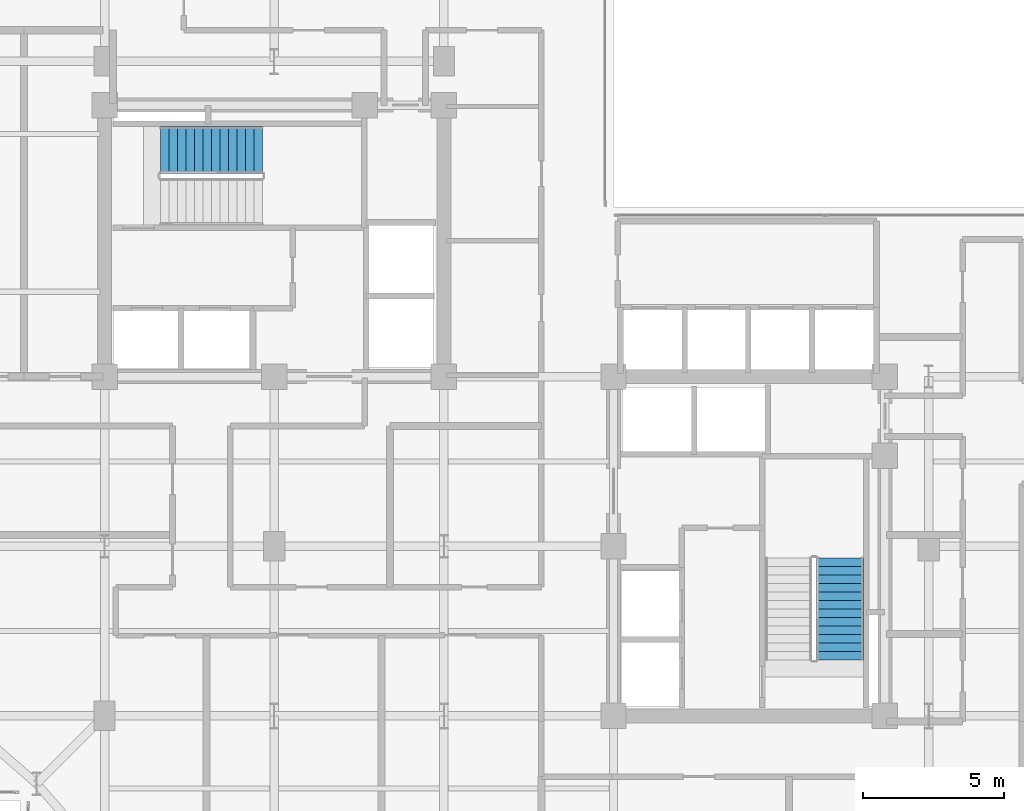
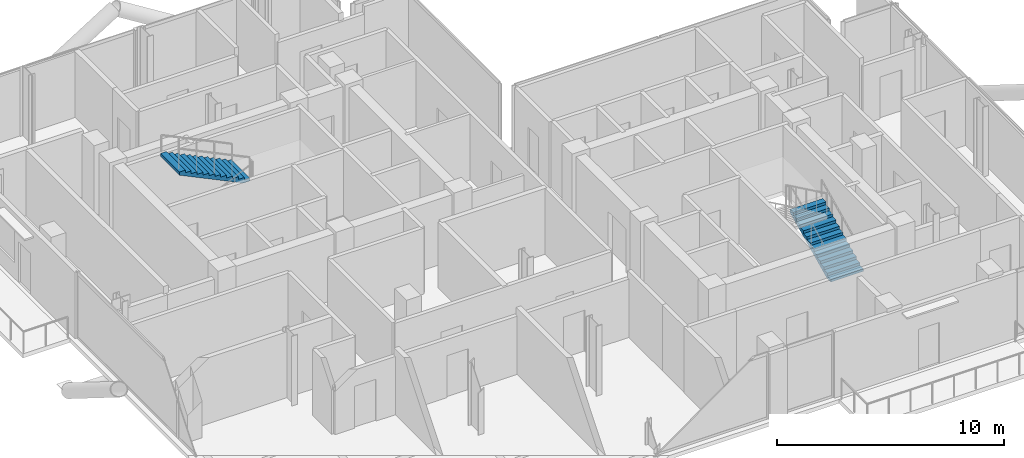
# One storey, part 23 of 26: 2 stair flights, 2 elements without a shape of their own.
"""IFC4 building model written with IfcOpenShell, lengths in metres."""

import ifcopenshell
import ifcopenshell.guid

model = None  # the IFC model being written
_history = None  # IfcOwnerHistory: only IFC2X3 demands one
_inside = {}  # id of a spatial element -> (the spatial element, [elements in it])
_under = {}  # id of a project, library or spatial element -> (it, [spatial elements below it])
_declared = {}  # id of a project -> (the project, [libraries it declares])
_typed = {}  # id of a type object -> (the type object, [elements of that type])
_made_of = {}  # id of a material, layer set ... -> (it, [elements and type objects made of it])


def new_model(schema):
    """Start an empty IFC model of exactly this schema.

    Asked for "IFC4X3", IfcOpenShell would pick the latest addendum, in which some entities
    have other attributes; the version numbers below select the first issue.
    IFC2X3 requires an IfcOwnerHistory on every rooted entity: one is made here for all.
    """
    global model, _history
    if schema == "IFC4X3":
        model = ifcopenshell.file(schema_version=(4, 3, 0, 0))
    else:
        model = ifcopenshell.file(schema=schema)
    _inside.clear()
    _under.clear()
    _declared.clear()
    _typed.clear()
    _made_of.clear()
    _history = None
    if model.schema == "IFC2X3":
        org = make("IfcOrganization", Name="unknown")
        user = make(
            "IfcPersonAndOrganization",
            ThePerson=make("IfcPerson", FamilyName="unknown"),
            TheOrganization=org,
        )
        app = make(
            "IfcApplication",
            ApplicationDeveloper=org,
            Version="unknown",
            ApplicationFullName="unknown",
            ApplicationIdentifier="unknown",
        )
        _history = make(
            "IfcOwnerHistory",
            OwningUser=user,
            OwningApplication=app,
            ChangeAction="ADDED",
            CreationDate=0,
        )
    return model


def make(cls, **values):
    """One entity of the class cls with the attributes given. An attribute that is None is left unset."""
    return model.create_entity(
        cls, **{name: value for name, value in values.items() if value is not None}
    )


def rooted(cls, **values):
    """An entity with a GlobalId (a new one), such as an element, a storey or a relation."""
    return make(cls, GlobalId=ifcopenshell.guid.new(), OwnerHistory=_history, **values)


def si_unit(unit_type, name, prefix=None):
    """IfcSIUnit, for example si_unit("LENGTHUNIT", "METRE", prefix="MILLI")."""
    return make("IfcSIUnit", UnitType=unit_type, Prefix=prefix, Name=name)


def assignment(units):
    """IfcUnitAssignment: the units of a project."""
    return None if units is None else make("IfcUnitAssignment", Units=units)


def point(xyz):
    """IfcCartesianPoint."""
    return None if xyz is None else make("IfcCartesianPoint", Coordinates=xyz)


def direction(xyz):
    """IfcDirection."""
    return None if xyz is None else make("IfcDirection", DirectionRatios=xyz)


def frame(location, z_axis=None, x_axis=None):
    """IfcAxis2Placement3D, a coordinate frame: its origin and axes. An axis left out is left unset."""
    return make(
        "IfcAxis2Placement3D",
        Location=point(location),
        Axis=direction(z_axis),
        RefDirection=direction(x_axis),
    )


def origin():
    """The frame at (0, 0, 0) with its axes left unset."""
    return frame((0.0, 0.0, 0.0))


def place(relative_to, where):
    """IfcLocalPlacement: puts the frame where relative to a parent placement (None: the world)."""
    return make(
        "IfcLocalPlacement", PlacementRelTo=relative_to, RelativePlacement=where
    )


def context(
    kind, dimensions, precision=None, world=None, true_north=None, identifier=None
):
    """IfcGeometricRepresentationContext, for example the 3D "Model" context."""
    return make(
        "IfcGeometricRepresentationContext",
        ContextIdentifier=identifier,
        ContextType=kind,
        CoordinateSpaceDimension=dimensions,
        Precision=precision,
        WorldCoordinateSystem=world,
        TrueNorth=true_north,
    )


def subcontext(parent, identifier, kind, view, scale=None):
    """IfcGeometricRepresentationSubContext, for example "Body" below "Model"."""
    return make(
        "IfcGeometricRepresentationSubContext",
        ContextIdentifier=identifier,
        ContextType=kind,
        ParentContext=parent,
        TargetScale=scale,
        TargetView=view,
    )


def project(units=None, contexts=None):
    """IfcProject with its units and contexts."""
    return rooted(
        "IfcProject",
        Name="project",
        RepresentationContexts=contexts,
        UnitsInContext=assignment(units),
    )


def spatial(cls, under=None, at=None, **own):
    """A site, building, storey or space (cls), placed at a placement, below another one or the project."""
    s = rooted(cls, ObjectPlacement=at, **own)
    if under is not None:
        _under.setdefault(under.id(), (under, []))[1].append(s)
    return s


def polyline(points):
    """IfcPolyline through the points."""
    return make("IfcPolyline", Points=[point(p) for p in points])


def outline(outer, holes=None, kind="AREA"):
    """IfcArbitraryClosedProfileDef: a profile drawn as a closed curve; with holes, ...WithVoids."""
    if holes is None:
        return make("IfcArbitraryClosedProfileDef", ProfileType=kind, OuterCurve=outer)
    return make(
        "IfcArbitraryProfileDefWithVoids",
        ProfileType=kind,
        OuterCurve=outer,
        InnerCurves=holes,
    )


def extrude(swept, where, along, depth):
    """IfcExtrudedAreaSolid: the profile swept, set in the frame where, extruded along a direction by depth."""
    return make(
        "IfcExtrudedAreaSolid",
        SweptArea=swept,
        Position=where,
        ExtrudedDirection=direction(along),
        Depth=depth,
    )


def shape(context_of_items, identifier, shape_type, items):
    """IfcShapeRepresentation: the items that make up one representation, for example the "Body"."""
    return make(
        "IfcShapeRepresentation",
        ContextOfItems=context_of_items,
        RepresentationIdentifier=identifier,
        RepresentationType=shape_type,
        Items=items,
    )


def material(Name=None, Category=None):
    """IfcMaterial."""
    return make("IfcMaterial", Name=Name, Category=Category)


def made_of(thing, what):
    """Note that an element or type object is made of a material, layer set ...; save() writes the relation."""
    if what is not None:
        _made_of.setdefault(what.id(), (what, []))[1].append(thing)
    return thing


def type_object(cls, material=None, **own):
    """A type object (cls), such as IfcWallType, which elements share."""
    return made_of(rooted(cls, **own), material)


def element(
    cls,
    number,
    at=None,
    inside=None,
    cuts=None,
    type_object=None,
    material=None,
    context=None,
    identifier="Body",
    shape_type=None,
    held_by="IfcProductDefinitionShape",
    body=None,
    shapes=None,
    **own,
):
    """One element of the class cls, such as IfcWall. Its Tag is "e" and its number.

    at: its placement. inside: the storey or other place that contains it. cuts: it is an
    opening in that element (IfcRelVoidsElement). A single representation is given by context,
    identifier, shape_type and body (its items); several are given by shapes. held_by: the class
    of the entity that holds the representations. save() writes the other relations.
    """
    e = rooted(cls, Tag="e%d" % number, ObjectPlacement=at, **own)
    if body is not None:
        shapes = [shape(context, identifier, shape_type, body)]
    if shapes is not None:
        e.Representation = make(held_by, Representations=shapes)
    if inside is not None:
        _inside.setdefault(inside.id(), (inside, []))[1].append(e)
    if cuts is not None:
        rooted(
            "IfcRelVoidsElement", RelatingBuildingElement=cuts, RelatedOpeningElement=e
        )
    if type_object is not None:
        _typed.setdefault(type_object.id(), (type_object, []))[1].append(e)
    return made_of(e, material)


def aggregate(whole, parts):
    """IfcRelAggregates: a whole, such as a stair, and the parts it consists of."""
    return rooted("IfcRelAggregates", RelatingObject=whole, RelatedObjects=parts)


def save(model, path):
    """Write the relations noted so far, then the file.

    IfcRelAggregates (storeys below a building ...), IfcRelContainedInSpatialStructure (elements
    in a storey), IfcRelDefinesByType, IfcRelAssociatesMaterial and IfcRelDeclares: one each for
    every whole, place, type object, material and project.
    """
    for whole, parts in _under.values():
        aggregate(whole, parts)
    for where, things in _inside.values():
        rooted(
            "IfcRelContainedInSpatialStructure",
            RelatedElements=things,
            RelatingStructure=where,
        )
    for kind, things in _typed.values():
        rooted("IfcRelDefinesByType", RelatedObjects=things, RelatingType=kind)
    for what, things in _made_of.values():
        rooted("IfcRelAssociatesMaterial", RelatedObjects=things, RelatingMaterial=what)
    for by, libraries in _declared.values():
        rooted("IfcRelDeclares", RelatingContext=by, RelatedDefinitions=libraries)
    model.write(path)


model = new_model("IFC4")

# Units and contexts
model_context = context("Model", 3, precision=1e-05, world=origin(), true_north=direction((0.0, 1.0)))
body_context = subcontext(model_context, "Body", "Model", "MODEL_VIEW")
ifc_project = project(units=[si_unit("LENGTHUNIT", "METRE"), si_unit("AREAUNIT", "SQUARE_METRE"), si_unit("VOLUMEUNIT", "CUBIC_METRE"), si_unit("PLANEANGLEUNIT", "RADIAN"), si_unit("MASSUNIT", "GRAM", prefix="KILO"), si_unit("THERMODYNAMICTEMPERATUREUNIT", "KELVIN"), si_unit("POWERUNIT", "WATT")], contexts=[model_context])

# Site, building, storey
site_placement = place(None, origin())
site = spatial("IfcSite", under=ifc_project, at=site_placement, CompositionType="ELEMENT")
building_placement = place(site_placement, origin())
building = spatial("IfcBuilding", under=site, at=building_placement, Name="Svarakhadi Broadcast Tower", CompositionType="ELEMENT")
storey_placement = place(building_placement, frame((0.0, 0.0, 180.449951171875)))
storey = spatial("IfcBuildingStorey", under=building, at=storey_placement, Name="L44", CompositionType="ELEMENT", Elevation=180.449951171875)

# Stair, stair flight
ifc_material = material(Name="Concrete C40/50 (IS 456 M50)", Category="concrete")
stair_type = type_object("IfcStairType", Name="Stair_Exit_Core", PredefinedType="HALF_TURN_STAIR", material=ifc_material)
stair_1_placement = place(storey_placement, origin())
stair_1 = element("IfcStair", 1, at=stair_1_placement, inside=storey, type_object=stair_type, Name="L44 West Core Protected Exit Stair ST-01", PredefinedType="HALF_TURN_STAIR")
stair_flight_type = type_object("IfcStairFlightType", Name="Flight_RC_1680", PredefinedType="STRAIGHT", material=ifc_material)
stair_flight_1_placement = place(storey_placement, frame((11.580078125, 26.010009765625, 1.875), z_axis=(0.0, 0.0, 1.0), x_axis=(-1.0, 0.0, 0.0)))
stair_flight_1 = element("IfcStairFlight", 2, at=stair_flight_1_placement, type_object=stair_flight_type, Name="ST-01 flight 2", NumberOfRisers=13, NumberOfTreads=12, PredefinedType="STRAIGHT", RiserHeight=0.144230769, TreadLength=0.3, context=body_context, shape_type="SweptSolid", body=[
    extrude(outline(polyline([(0.0, 0.0), (0.0, 0.144287109375), (0.300048828125, 0.144287109375), (0.300048828125, 0.28857421875), (0.60009765625, 0.28857421875), (0.60009765625, 0.4326171875), (0.89990234375, 0.4326171875), (0.89990234375, 0.576904296875), (1.199951171875, 0.576904296875), (1.199951171875, 0.72119140625), (1.5, 0.72119140625), (1.5, 0.865478515625), (1.800048828125, 0.865478515625), (1.800048828125, 1.009521484375), (2.10009765625, 1.009521484375), (2.10009765625, 1.15380859375), (2.39990234375, 1.15380859375), (2.39990234375, 1.298095703125), (2.699951171875, 1.298095703125), (2.699951171875, 1.4423828125), (3.0, 1.4423828125), (3.0, 1.58642578125), (3.300048828125, 1.58642578125), (3.300048828125, 1.730712890625), (3.60009765625, 1.730712890625), (3.60009765625, 1.875), (3.60009765625, 1.564453125), (0.345947265625, 0.0), (0.0, 0.0)])), frame((0.0, 0.830078125, 0.0), z_axis=(0.0, -1.0, 0.0), x_axis=(1.0, 0.0, 0.0)), (0.0, 0.0, 1.0), 1.659912109375),
])
aggregate(stair_1, [stair_flight_1])

stair_2_placement = place(storey_placement, origin())
stair_2 = element("IfcStair", 3, at=stair_2_placement, inside=storey, type_object=stair_type, Name="L44 East Core Protected Exit Stair ST-02", PredefinedType="HALF_TURN_STAIR")
stair_flight_2_placement = place(storey_placement, frame((32.010009765625, 7.97998046875, 0.0), z_axis=(0.0, 0.0, 1.0), x_axis=(0.0, 1.0, 0.0)))
stair_flight_2 = element("IfcStairFlight", 4, at=stair_flight_2_placement, type_object=stair_flight_type, Name="ST-02 flight 1", NumberOfRisers=13, NumberOfTreads=12, PredefinedType="STRAIGHT", RiserHeight=0.144230769, TreadLength=0.3, context=body_context, shape_type="SweptSolid", body=[
    extrude(outline(polyline([(0.0, 0.0), (0.0, 0.144287109375), (0.300048828125, 0.144287109375), (0.300048828125, 0.28857421875), (0.60009765625, 0.28857421875), (0.60009765625, 0.4326171875), (0.89990234375, 0.4326171875), (0.89990234375, 0.576904296875), (1.199951171875, 0.576904296875), (1.199951171875, 0.72119140625), (1.5, 0.72119140625), (1.5, 0.865478515625), (1.800048828125, 0.865478515625), (1.800048828125, 1.009521484375), (2.10009765625, 1.009521484375), (2.10009765625, 1.15380859375), (2.39990234375, 1.15380859375), (2.39990234375, 1.298095703125), (2.699951171875, 1.298095703125), (2.699951171875, 1.4423828125), (3.0, 1.4423828125), (3.0, 1.58642578125), (3.300048828125, 1.58642578125), (3.300048828125, 1.730712890625), (3.60009765625, 1.730712890625), (3.60009765625, 1.875), (3.60009765625, 1.564453125), (0.345947265625, 0.0), (0.0, 0.0)])), frame((0.0, 0.830078125, 0.0), z_axis=(0.0, -1.0, 0.0), x_axis=(1.0, 0.0, 0.0)), (0.0, 0.0, 1.0), 1.659912109375),
])
aggregate(stair_2, [stair_flight_2])

save(model, "model.ifc")
